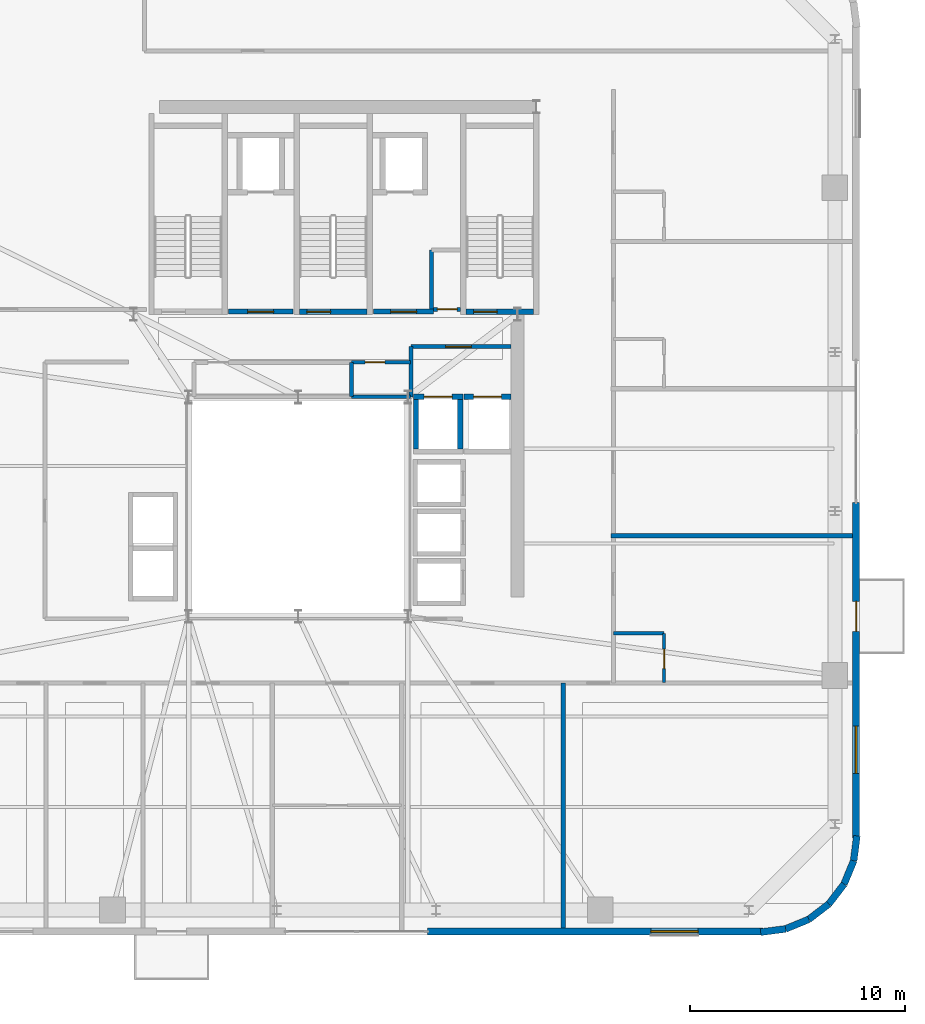
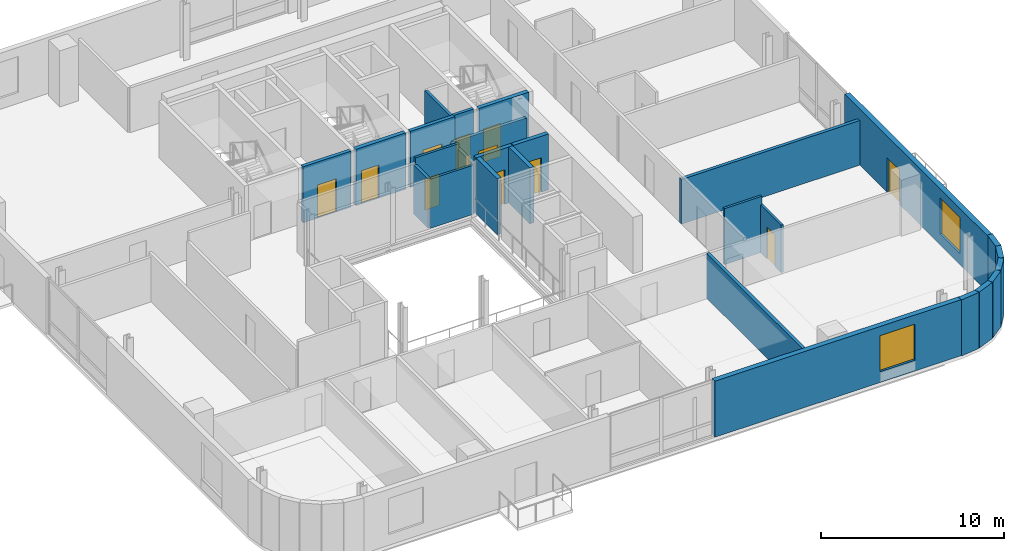
# One storey, part 9 of 15: 27 walls, 11 doors, 2 windows, 13 openings.
"""IFC4 building model written with IfcOpenShell, lengths in metres."""

from ifc_helpers import new_model, si_unit, direction, frame, frame_2d, origin, place, context, subcontext, project, spatial, rectangle, extrude, source, transform, mapped, material, layer, layer_set, type_object, element, fill, save


model = new_model("IFC4")

# Units and contexts
model_context = context("Model", 3, precision=1e-05, world=origin(), true_north=direction((0.0, 1.0)))
body_context = subcontext(model_context, "Body", "Model", "MODEL_VIEW")
ifc_project = project(units=[si_unit("LENGTHUNIT", "METRE"), si_unit("AREAUNIT", "SQUARE_METRE"), si_unit("VOLUMEUNIT", "CUBIC_METRE"), si_unit("PLANEANGLEUNIT", "RADIAN"), si_unit("MASSUNIT", "GRAM", prefix="KILO")], contexts=[model_context])

# Site, building, storey
site_placement = place(None, origin())
site = spatial("IfcSite", under=ifc_project, at=site_placement, CompositionType="ELEMENT")
building_placement = place(site_placement, origin())
building = spatial("IfcBuilding", under=site, at=building_placement, Name="Vardaveli Station Tower", CompositionType="ELEMENT")
storey_placement = place(building_placement, frame((0.0, 0.0, 246.64990234375)))
storey = spatial("IfcBuildingStorey", under=building, at=storey_placement, Name="L63", CompositionType="ELEMENT", Elevation=246.64990234375)

# Wall, opening, window
ifc_material_1 = material(Name="Precast concrete C45/55", Category="concrete")
ifc_layer_1 = layer(ifc_material_1, 0.320068359375, Name="Precast concrete C45/55")
ifc_layer_set_1 = layer_set([ifc_layer_1], Name="Precast concrete C45/55")
wall_type_1 = type_object("IfcWallType", Name="WAL-EXT-STONE-320", PredefinedType="SOLIDWALL", material=ifc_layer_set_1)
shared_shape_1 = source(origin(), body_context, "Body", "SweptSolid", [
    extrude(rectangle(XDim=15.599853515625, YDim=0.320068359375, at=frame_2d((7.7998046875, 0.0))), origin(), (0.0, 0.0, 1.0), 3.72998046875),
])
wall_1_placement = place(storey_placement, frame((42.300048828125, 1.9599609375, 0.0), z_axis=(0.0, 0.0, 1.0), x_axis=(1.0, 0.0, 0.0)))
wall_1 = element("IfcWall", 1, at=wall_1_placement, inside=storey, type_object=wall_type_1, Name="EW-L63-S2", PredefinedType="SOLIDWALL", context=body_context, shape_type="MappedRepresentation", body=[
    mapped(shared_shape_1, transform((0.0, 0.0, 0.0), scale=1.0)),
])
shared_shape_2 = source(origin(), body_context, "Body", "SweptSolid", [
    extrude(rectangle(XDim=2.199951171875, YDim=2.39990234375, at=frame_2d((1.10009765625, 1.199951171875))), frame((0.0, 0.169921875, 0.0), z_axis=(0.0, -1.0, 0.0), x_axis=(1.0, 0.0, 0.0)), (0.0, 0.0, 1.0), 0.340087890625),
])
opening_1_placement = place(wall_1_placement, frame((10.39501953125, 0.0, 0.719970703125)))
opening_1 = element("IfcOpeningElement", 2, at=opening_1_placement, cuts=wall_1, Name="Opening W-03", PredefinedType="OPENING", context=body_context, shape_type="MappedRepresentation", body=[
    mapped(shared_shape_2, transform((0.0, 0.0, 0.0), scale=1.0)),
])
ifc_material_2 = material(Name="Low-E solar-control glass", Category="glass")
window_type = type_object("IfcWindowType", Name="WIN-LOG-2200x2400", PartitioningType="SINGLE_PANEL", PredefinedType="WINDOW", material=ifc_material_2)
shared_shape_3 = source(origin(), body_context, "Body", "SweptSolid", [
    extrude(rectangle(XDim=2.199951171875, YDim=2.39990234375, at=frame_2d((1.10009765625, 1.199951171875))), frame((0.0, 0.030029296875, 0.0), z_axis=(0.0, -1.0, 0.0), x_axis=(1.0, 0.0, 0.0)), (0.0, 0.0, 1.0), 0.06005859375),
])
window_1_placement = place(opening_1_placement, origin())
window_1 = element("IfcWindow", 3, at=window_1_placement, inside=storey, type_object=window_type, Name="WN-L63-S2", OverallHeight=2.39990234375, OverallWidth=2.199951171875, PartitioningType="SINGLE_PANEL", PredefinedType="WINDOW", context=body_context, shape_type="MappedRepresentation", body=[
    mapped(shared_shape_3, transform((0.0, 0.0, 0.0), scale=1.0)),
])
fill(opening_1, window_1)

# Wall, openings, door, window
wall_2_placement = place(storey_placement, frame((62.239990234375, 6.300048828125, 0.0), z_axis=(0.0, 0.0, 1.0), x_axis=(0.0, 1.0, 0.0)))
wall_2 = element("IfcWall", 4, at=wall_2_placement, inside=storey, type_object=wall_type_1, Name="EW-L63-E1", PredefinedType="SOLIDWALL", context=body_context, shape_type="MappedRepresentation", body=[
    mapped(shared_shape_1, transform((0.0, 0.0, 0.0), scale=1.0)),
])
shared_shape_4 = source(origin(), body_context, "Body", "SweptSolid", [
    extrude(rectangle(XDim=1.39990234375, YDim=2.300048828125, at=frame_2d((0.699951171875, 1.14990234375))), frame((0.0, 0.169921875, 0.0), z_axis=(0.0, -1.0, 0.0), x_axis=(1.0, 0.0, 0.0)), (0.0, 0.0, 1.0), 0.340087890625),
])
opening_2_placement = place(wall_2_placement, frame((9.6103515625, 0.0, 0.0)))
opening_2 = element("IfcOpeningElement", 5, at=opening_2_placement, cuts=wall_2, Name="Opening D-09", PredefinedType="OPENING", context=body_context, shape_type="MappedRepresentation", body=[
    mapped(shared_shape_4, transform((0.0, 0.0, 0.0), scale=1.0)),
])
opening_3_placement = place(wall_2_placement, frame((3.0048828125, 0.0, 0.719970703125)))
opening_3 = element("IfcOpeningElement", 6, at=opening_3_placement, cuts=wall_2, Name="Opening W-03", PredefinedType="OPENING", context=body_context, shape_type="MappedRepresentation", body=[
    mapped(shared_shape_2, transform((0.0, 0.0, 0.0), scale=1.0)),
])
ifc_material_3 = material(Name="Thermally broken aluminium glass", Category="aluminium")
door_type_1 = type_object("IfcDoorType", Name="DR-LOG-1400x2300", OperationType="DOUBLE_DOOR_SLIDING", PredefinedType="DOOR", material=ifc_material_3)
shared_shape_5 = source(origin(), body_context, "Body", "SweptSolid", [
    extrude(rectangle(XDim=1.39990234375, YDim=2.300048828125, at=frame_2d((0.699951171875, 1.14990234375))), frame((0.0, 0.02490234375, 0.0), z_axis=(0.0, -1.0, 0.0), x_axis=(1.0, 0.0, 0.0)), (0.0, 0.0, 1.0), 0.050048828125),
])
door_1_placement = place(opening_2_placement, frame((1.39990234375, 0.0, 0.0), z_axis=(0.0, 0.0, 1.0), x_axis=(-1.0, 0.0, 0.0)))
door_1 = element("IfcDoor", 7, at=door_1_placement, inside=storey, type_object=door_type_1, Name="DLG-L63-E", OperationType="DOUBLE_DOOR_SLIDING", OverallHeight=2.300048828125, OverallWidth=1.39990234375, PredefinedType="DOOR", context=body_context, shape_type="MappedRepresentation", body=[
    mapped(shared_shape_5, transform((0.0, 0.0, 0.0), scale=1.0)),
])
fill(opening_2, door_1)
window_2_placement = place(opening_3_placement, origin())
window_2 = element("IfcWindow", 8, at=window_2_placement, inside=storey, type_object=window_type, Name="WN-L63-E1", OverallHeight=2.39990234375, OverallWidth=2.199951171875, PartitioningType="SINGLE_PANEL", PredefinedType="WINDOW", context=body_context, shape_type="MappedRepresentation", body=[
    mapped(shared_shape_3, transform((0.0, 0.0, 0.0), scale=1.0)),
])
fill(opening_3, window_2)

# Walls
shared_shape_6 = source(origin(), body_context, "Body", "SweptSolid", [
    extrude(rectangle(XDim=1.170654296875, YDim=0.320068359375, at=frame_2d((0.58544921875, 0.0))), origin(), (0.0, 0.0, 1.0), 3.72998046875),
])
wall_3_placement = place(storey_placement, frame((62.12548828125, 5.23974609375, 0.0), z_axis=(0.0, 0.0, 1.0), x_axis=(0.128269133229, 0.991739395941, 0.0)))
element("IfcWall", 9, at=wall_3_placement, inside=storey, type_object=wall_type_1, Name="EW-L63-CR2-6", PredefinedType="SOLIDWALL", context=body_context, shape_type="MappedRepresentation", body=[
    mapped(shared_shape_6, transform((0.0, 0.0, 0.0), scale=1.0)),
])
shared_shape_7 = source(origin(), body_context, "Body", "SweptSolid", [
    extrude(rectangle(XDim=1.1689453125, YDim=0.320068359375, at=frame_2d((0.58447265625, 0.0))), origin(), (0.0, 0.0, 1.0), 3.72998046875),
])
for number, where, z_axis, x_axis, name in (
    (10, (60.96875, 3.231201171875, 0.0), (0.0, 0.0, 1.0), (0.608387696831, 0.793639975269, 0.0), "EW-L63-CR2-4"),
    (11, (61.679931640625, 4.158935546875, 0.0), (0.0, 0.0, 1.0), (0.381127904695, 0.924522320046, 0.0), "EW-L63-CR2-5"),
):
    element("IfcWall", number, at=place(storey_placement, frame(where, z_axis=z_axis, x_axis=x_axis)), inside=storey, type_object=wall_type_1, Name=name, PredefinedType="SOLIDWALL", context=body_context, shape_type="MappedRepresentation", body=[
        mapped(shared_shape_7, transform((0.0, 0.0, 0.0), scale=1.0)),
    ])
shared_shape_8 = source(origin(), body_context, "Body", "SweptSolid", [
    extrude(rectangle(XDim=1.168701171875, YDim=0.320068359375, at=frame_2d((0.58447265625, 0.0))), origin(), (0.0, 0.0, 1.0), 3.72998046875),
])
wall_4_placement = place(storey_placement, frame((60.041259765625, 2.520263671875, 0.0), z_axis=(0.0, 0.0, 1.0), x_axis=(0.793663520347, 0.608356981114, 0.0)))
element("IfcWall", 12, at=wall_4_placement, inside=storey, type_object=wall_type_1, Name="EW-L63-CR2-3", PredefinedType="SOLIDWALL", context=body_context, shape_type="MappedRepresentation", body=[
    mapped(shared_shape_8, transform((0.0, 0.0, 0.0), scale=1.0)),
])
shared_shape_9 = source(origin(), body_context, "Body", "SweptSolid", [
    extrude(rectangle(XDim=1.16943359375, YDim=0.320068359375, at=frame_2d((0.584716796875, 0.0))), origin(), (0.0, 0.0, 1.0), 3.72998046875),
])
wall_5_placement = place(storey_placement, frame((58.960205078125, 2.074462890625, 0.0), z_axis=(0.0, 0.0, 1.0), x_axis=(0.924479075121, 0.381232789334, 0.0)))
element("IfcWall", 13, at=wall_5_placement, inside=storey, type_object=wall_type_1, Name="EW-L63-CR2-2", PredefinedType="SOLIDWALL", context=body_context, shape_type="MappedRepresentation", body=[
    mapped(shared_shape_9, transform((0.0, 0.0, 0.0), scale=1.0)),
])
shared_shape_10 = source(origin(), body_context, "Body", "SweptSolid", [
    extrude(rectangle(XDim=1.170166015625, YDim=0.320068359375, at=frame_2d((0.5849609375, 0.0))), origin(), (0.0, 0.0, 1.0), 3.72998046875),
])
wall_6_placement = place(storey_placement, frame((57.799560546875, 1.924560546875, 0.0), z_axis=(0.0, 0.0, 1.0), x_axis=(0.991762485493, 0.128090485085, 0.0)))
element("IfcWall", 14, at=wall_6_placement, inside=storey, type_object=wall_type_1, Name="EW-L63-CR2-1", PredefinedType="SOLIDWALL", context=body_context, shape_type="MappedRepresentation", body=[
    mapped(shared_shape_10, transform((0.0, 0.0, 0.0), scale=1.0)),
])

# Wall, opening, door
ifc_material_4 = material(Name="Concrete C40/50", Category="concrete")
ifc_layer_2 = layer(ifc_material_4, 0.25, Name="Concrete C40/50")
ifc_layer_set_2 = layer_set([ifc_layer_2], Name="Concrete C40/50")
wall_type_2 = type_object("IfcWallType", Name="WAL-SHAFT-250", PredefinedType="SOLIDWALL", material=ifc_layer_set_2)
shared_shape_11 = source(origin(), body_context, "Body", "SweptSolid", [
    extrude(rectangle(XDim=3.14990234375, YDim=0.25, at=frame_2d((1.574951171875, 0.0))), origin(), (0.0, 0.0, 1.0), 3.75),
])
wall_7_placement = place(storey_placement, frame((36.35009765625, 30.77490234375, 0.0), z_axis=(0.0, 0.0, 1.0), x_axis=(1.0, 0.0, 0.0)))
wall_7 = element("IfcWall", 15, at=wall_7_placement, inside=storey, type_object=wall_type_2, Name="W-L63-ST-2S", PredefinedType="SOLIDWALL", context=body_context, shape_type="MappedRepresentation", body=[
    mapped(shared_shape_11, transform((0.0, 0.0, 0.0), scale=1.0)),
])
shared_shape_12 = source(origin(), body_context, "Body", "SweptSolid", [
    extrude(rectangle(XDim=1.10009765625, YDim=2.199951171875, at=frame_2d((0.550048828125, 1.10009765625))), frame((0.0, 0.135009765625, 0.0), z_axis=(0.0, -1.0, 0.0), x_axis=(1.0, 0.0, 0.0)), (0.0, 0.0, 1.0), 0.27001953125),
])
opening_4_placement = place(wall_7_placement, frame((0.35009765625, 0.0, 0.0)))
opening_4 = element("IfcOpeningElement", 16, at=opening_4_placement, cuts=wall_7, Name="Opening D-04", PredefinedType="OPENING", context=body_context, shape_type="MappedRepresentation", body=[
    mapped(shared_shape_12, transform((0.0, 0.0, 0.0), scale=1.0)),
])
ifc_material_5 = material(Name="Steel smokeproof fire doorset", Category="steel")
door_type_2 = type_object("IfcDoorType", Name="DR-ST-1100x2200", OperationType="NOTDEFINED", PredefinedType="DOOR", material=ifc_material_5)
shared_shape_13 = source(origin(), body_context, "Body", "SweptSolid", [
    extrude(rectangle(XDim=1.10009765625, YDim=2.199951171875, at=frame_2d((0.550048828125, 1.10009765625))), frame((0.0, 0.02490234375, 0.0), z_axis=(0.0, -1.0, 0.0), x_axis=(1.0, 0.0, 0.0)), (0.0, 0.0, 1.0), 0.050048828125),
])
door_2_placement = place(opening_4_placement, origin())
door_2 = element("IfcDoor", 17, at=door_2_placement, inside=storey, type_object=door_type_2, Name="DST-2-L63", OperationType="SINGLE_SWING_LEFT", OverallHeight=2.199951171875, OverallWidth=1.10009765625, PredefinedType="DOOR", context=body_context, shape_type="MappedRepresentation", body=[
    mapped(shared_shape_13, transform((0.0, 0.0, 0.0), scale=1.0)),
])
fill(opening_4, door_2)

wall_8_placement = place(storey_placement, frame((44.10009765625, 30.77490234375, 0.0), z_axis=(0.0, 0.0, 1.0), x_axis=(1.0, 0.0, 0.0)))
wall_8 = element("IfcWall", 18, at=wall_8_placement, inside=storey, type_object=wall_type_2, Name="W-L63-ST-3S", PredefinedType="SOLIDWALL", context=body_context, shape_type="MappedRepresentation", body=[
    mapped(shared_shape_11, transform((0.0, 0.0, 0.0), scale=1.0)),
])
opening_5_placement = place(wall_8_placement, frame((0.35009765625, 0.0, 0.0)))
opening_5 = element("IfcOpeningElement", 19, at=opening_5_placement, cuts=wall_8, Name="Opening D-04", PredefinedType="OPENING", context=body_context, shape_type="MappedRepresentation", body=[
    mapped(shared_shape_12, transform((0.0, 0.0, 0.0), scale=1.0)),
])
door_3_placement = place(opening_5_placement, origin())
door_3 = element("IfcDoor", 20, at=door_3_placement, inside=storey, type_object=door_type_2, Name="DST-3-L63", OperationType="SINGLE_SWING_LEFT", OverallHeight=2.199951171875, OverallWidth=1.10009765625, PredefinedType="DOOR", context=body_context, shape_type="MappedRepresentation", body=[
    mapped(shared_shape_13, transform((0.0, 0.0, 0.0), scale=1.0)),
])
fill(opening_5, door_3)

ifc_layer_3 = layer(ifc_material_4, 0.219970703125, Name="Concrete C40/50")
ifc_layer_set_3 = layer_set([ifc_layer_3], Name="Concrete C40/50")
wall_type_3 = type_object("IfcWallType", Name="WAL-FFLOBBY-220", PredefinedType="SOLIDWALL", material=ifc_layer_set_3)
shared_shape_14 = source(origin(), body_context, "Body", "SweptSolid", [
    extrude(rectangle(XDim=3.0, YDim=0.219970703125, at=frame_2d((1.5, 0.0))), origin(), (0.0, 0.0, 1.0), 3.72998046875),
])
wall_9_placement = place(storey_placement, frame((33.050048828125, 30.780029296875, 0.0), z_axis=(0.0, 0.0, 1.0), x_axis=(1.0, 0.0, 0.0)))
wall_9 = element("IfcWall", 21, at=wall_9_placement, inside=storey, type_object=wall_type_3, Name="W-L63-FFL1S", PredefinedType="SOLIDWALL", context=body_context, shape_type="MappedRepresentation", body=[
    mapped(shared_shape_14, transform((0.0, 0.0, 0.0), scale=1.0)),
])
shared_shape_15 = source(origin(), body_context, "Body", "SweptSolid", [
    extrude(rectangle(XDim=1.199951171875, YDim=2.199951171875, at=frame_2d((0.60009765625, 1.10009765625))), frame((0.0, 0.1201171875, 0.0), z_axis=(0.0, -1.0, 0.0), x_axis=(1.0, 0.0, 0.0)), (0.0, 0.0, 1.0), 0.239990234375),
])
opening_6_placement = place(wall_9_placement, frame((0.89990234375, 0.0, 0.0)))
opening_6 = element("IfcOpeningElement", 22, at=opening_6_placement, cuts=wall_9, Name="Opening D-03", PredefinedType="OPENING", context=body_context, shape_type="MappedRepresentation", body=[
    mapped(shared_shape_15, transform((0.0, 0.0, 0.0), scale=1.0)),
])
door_type_3 = type_object("IfcDoorType", Name="DR-FFL-1200x2200", OperationType="NOTDEFINED", PredefinedType="DOOR", material=ifc_material_5)
shared_shape_16 = source(origin(), body_context, "Body", "SweptSolid", [
    extrude(rectangle(XDim=1.199951171875, YDim=2.199951171875, at=frame_2d((0.60009765625, 1.10009765625))), frame((0.0, 0.02490234375, 0.0), z_axis=(0.0, -1.0, 0.0), x_axis=(1.0, 0.0, 0.0)), (0.0, 0.0, 1.0), 0.050048828125),
])
door_4_placement = place(opening_6_placement, origin())
door_4 = element("IfcDoor", 23, at=door_4_placement, inside=storey, type_object=door_type_3, Name="DFFL1-L63", OperationType="SINGLE_SWING_LEFT", OverallHeight=2.199951171875, OverallWidth=1.199951171875, PredefinedType="DOOR", context=body_context, shape_type="MappedRepresentation", body=[
    mapped(shared_shape_16, transform((0.0, 0.0, 0.0), scale=1.0)),
])
fill(opening_6, door_4)

shared_shape_17 = source(origin(), body_context, "Body", "SweptSolid", [
    extrude(rectangle(XDim=2.800048828125, YDim=0.219970703125, at=frame_2d((1.39990234375, 0.0))), origin(), (0.0, 0.0, 1.0), 3.72998046875),
])
wall_10_placement = place(storey_placement, frame((39.800048828125, 30.780029296875, 0.0), z_axis=(0.0, 0.0, 1.0), x_axis=(1.0, 0.0, 0.0)))
wall_10 = element("IfcWall", 24, at=wall_10_placement, inside=storey, type_object=wall_type_3, Name="W-L63-FFL2S", PredefinedType="SOLIDWALL", context=body_context, shape_type="MappedRepresentation", body=[
    mapped(shared_shape_17, transform((0.0, 0.0, 0.0), scale=1.0)),
])
opening_7_placement = place(wall_10_placement, frame((0.800048828125, 0.0, 0.0)))
opening_7 = element("IfcOpeningElement", 25, at=opening_7_placement, cuts=wall_10, Name="Opening D-03", PredefinedType="OPENING", context=body_context, shape_type="MappedRepresentation", body=[
    mapped(shared_shape_15, transform((0.0, 0.0, 0.0), scale=1.0)),
])
door_5_placement = place(opening_7_placement, origin())
door_5 = element("IfcDoor", 26, at=door_5_placement, inside=storey, type_object=door_type_3, Name="DFFL2-L63", OperationType="SINGLE_SWING_RIGHT", OverallHeight=2.199951171875, OverallWidth=1.199951171875, PredefinedType="DOOR", context=body_context, shape_type="MappedRepresentation", body=[
    mapped(shared_shape_16, transform((0.0, 0.0, 0.0), scale=1.0)),
])
fill(opening_7, door_5)

shared_shape_18 = source(origin(), body_context, "Body", "SweptSolid", [
    extrude(rectangle(XDim=2.300048828125, YDim=0.25, at=frame_2d((1.14990234375, 0.0))), origin(), (0.0, 0.0, 1.0), 3.72998046875),
])
wall_11_placement = place(storey_placement, frame((41.64990234375, 26.824951171875, 0.0), z_axis=(0.0, 0.0, 1.0), x_axis=(1.0, 0.0, 0.0)))
wall_11 = element("IfcWall", 27, at=wall_11_placement, inside=storey, type_object=wall_type_2, Name="SHW-SRV-01-L63-N", PredefinedType="SOLIDWALL", context=body_context, shape_type="MappedRepresentation", body=[
    mapped(shared_shape_18, transform((0.0, 0.0, 0.0), scale=1.0)),
])
shared_shape_19 = source(origin(), body_context, "Body", "SweptSolid", [
    extrude(rectangle(XDim=1.300048828125, YDim=2.300048828125, at=frame_2d((0.64990234375, 1.14990234375))), frame((0.0, 0.135009765625, 0.0), z_axis=(0.0, -1.0, 0.0), x_axis=(1.0, 0.0, 0.0)), (0.0, 0.0, 1.0), 0.27001953125),
])
opening_8_placement = place(wall_11_placement, frame((0.5, 0.0, 0.0)))
opening_8 = element("IfcOpeningElement", 28, at=opening_8_placement, cuts=wall_11, Name="Opening LD-03", PredefinedType="OPENING", context=body_context, shape_type="MappedRepresentation", body=[
    mapped(shared_shape_19, transform((0.0, 0.0, 0.0), scale=1.0)),
])
ifc_material_6 = material(Name="Brushed stainless steel", Category="steel")
door_type_4 = type_object("IfcDoorType", Name="DR-LD-1300x2300", OperationType="DOUBLE_DOOR_SLIDING", PredefinedType="DOOR", material=ifc_material_6)
shared_shape_20 = source(origin(), body_context, "Body", "SweptSolid", [
    extrude(rectangle(XDim=1.300048828125, YDim=2.300048828125, at=frame_2d((0.64990234375, 1.14990234375))), frame((0.0, 0.02490234375, 0.0), z_axis=(0.0, -1.0, 0.0), x_axis=(1.0, 0.0, 0.0)), (0.0, 0.0, 1.0), 0.050048828125),
])
door_6_placement = place(opening_8_placement, origin())
door_6 = element("IfcDoor", 29, at=door_6_placement, inside=storey, type_object=door_type_4, Name="LD-SRV-01-L63", OperationType="DOUBLE_DOOR_SLIDING", OverallHeight=2.300048828125, OverallWidth=1.300048828125, PredefinedType="DOOR", context=body_context, shape_type="MappedRepresentation", body=[
    mapped(shared_shape_20, transform((0.0, 0.0, 0.0), scale=1.0)),
])
fill(opening_8, door_6)

# Walls
for number, where, z_axis, x_axis, name in (
    (30, (41.77490234375, 24.39990234375, 0.0), (0.0, 0.0, 1.0), (0.0, 1.0, 0.0), "SHW-SRV-01-L63-W"),
    (31, (43.824951171875, 24.39990234375, 0.0), (0.0, 0.0, 1.0), (0.0, 1.0, 0.0), "SHW-SRV-01-L63-E"),
):
    element("IfcWall", number, at=place(storey_placement, frame(where, z_axis=z_axis, x_axis=x_axis)), inside=storey, type_object=wall_type_2, Name=name, PredefinedType="SOLIDWALL", context=body_context, shape_type="MappedRepresentation", body=[
        mapped(shared_shape_18, transform((0.0, 0.0, 0.0), scale=1.0)),
    ])

# Wall, opening, door
shared_shape_21 = source(origin(), body_context, "Body", "SweptSolid", [
    extrude(rectangle(XDim=2.199951171875, YDim=0.25, at=frame_2d((1.10009765625, 0.0))), origin(), (0.0, 0.0, 1.0), 3.72998046875),
])
wall_12_placement = place(storey_placement, frame((44.0, 26.824951171875, 0.0), z_axis=(0.0, 0.0, 1.0), x_axis=(1.0, 0.0, 0.0)))
wall_12 = element("IfcWall", 32, at=wall_12_placement, inside=storey, type_object=wall_type_2, Name="SHW-SRV-02-L63-N", PredefinedType="SOLIDWALL", context=body_context, shape_type="MappedRepresentation", body=[
    mapped(shared_shape_21, transform((0.0, 0.0, 0.0), scale=1.0)),
])
opening_9_placement = place(wall_12_placement, frame((0.449951171875, 0.0, 0.0)))
opening_9 = element("IfcOpeningElement", 33, at=opening_9_placement, cuts=wall_12, Name="Opening LD-03", PredefinedType="OPENING", context=body_context, shape_type="MappedRepresentation", body=[
    mapped(shared_shape_19, transform((0.0, 0.0, 0.0), scale=1.0)),
])
door_7_placement = place(opening_9_placement, origin())
door_7 = element("IfcDoor", 34, at=door_7_placement, inside=storey, type_object=door_type_4, Name="LD-SRV-02-L63", OperationType="DOUBLE_DOOR_SLIDING", OverallHeight=2.300048828125, OverallWidth=1.300048828125, PredefinedType="DOOR", context=body_context, shape_type="MappedRepresentation", body=[
    mapped(shared_shape_20, transform((0.0, 0.0, 0.0), scale=1.0)),
])
fill(opening_9, door_7)

ifc_material_7 = material(Name="Fire-rated gypsum stud partition")
ifc_layer_4 = layer(ifc_material_7, 0.179931640625, Name="Fire-rated gypsum stud partition")
ifc_layer_set_4 = layer_set([ifc_layer_4], Name="Fire-rated gypsum stud partition")
wall_type_4 = type_object("IfcWallType", Name="WAL-CORR-180", PredefinedType="PARTITIONING", material=ifc_layer_set_4)
shared_shape_22 = source(origin(), body_context, "Body", "SweptSolid", [
    extrude(rectangle(XDim=4.64794921875, YDim=0.179931640625, at=frame_2d((2.323974609375, 0.0))), origin(), (0.0, 0.0, 1.0), 3.362060546875),
])
wall_13_placement = place(storey_placement, frame((41.550048828125, 29.14990234375, 0.0), z_axis=(0.0, 0.0, 1.0), x_axis=(1.0, 0.0, 0.0)))
wall_13 = element("IfcWall", 35, at=wall_13_placement, inside=storey, type_object=wall_type_4, Name="W-L63-SVFN", PredefinedType="PARTITIONING", context=body_context, shape_type="MappedRepresentation", body=[
    mapped(shared_shape_22, transform((0.0, 0.0, 0.0), scale=1.0)),
])
shared_shape_23 = source(origin(), body_context, "Body", "SweptSolid", [
    extrude(rectangle(XDim=1.199951171875, YDim=2.199951171875, at=frame_2d((0.60009765625, 1.10009765625))), frame((0.0, 0.10009765625, 0.0), z_axis=(0.0, -1.0, 0.0), x_axis=(1.0, 0.0, 0.0)), (0.0, 0.0, 1.0), 0.199951171875),
])
opening_10_placement = place(wall_13_placement, frame((1.60009765625, 0.0, 0.0)))
opening_10 = element("IfcOpeningElement", 36, at=opening_10_placement, cuts=wall_13, Name="Opening D-03", PredefinedType="OPENING", context=body_context, shape_type="MappedRepresentation", body=[
    mapped(shared_shape_23, transform((0.0, 0.0, 0.0), scale=1.0)),
])
door_8_placement = place(opening_10_placement, origin())
door_8 = element("IfcDoor", 37, at=door_8_placement, inside=storey, type_object=door_type_3, Name="D-L63-SVF", OperationType="SINGLE_SWING_LEFT", OverallHeight=2.199951171875, OverallWidth=1.199951171875, PredefinedType="DOOR", context=body_context, shape_type="MappedRepresentation", body=[
    mapped(shared_shape_16, transform((0.0, 0.0, 0.0), scale=1.0)),
])
fill(opening_10, door_8)

ifc_material_8 = material(Name="Moisture-resistant stud partition")
ifc_layer_5 = layer(ifc_material_8, 0.14990234375, Name="Moisture-resistant stud partition")
ifc_layer_set_5 = layer_set([ifc_layer_5], Name="Moisture-resistant stud partition")
wall_type_5 = type_object("IfcWallType", Name="WAL-WET-150", PredefinedType="PARTITIONING", material=ifc_layer_set_5)
shared_shape_24 = source(origin(), body_context, "Body", "SweptSolid", [
    extrude(rectangle(XDim=2.2900390625, YDim=0.14990234375, at=frame_2d((1.14501953125, 0.0))), origin(), (0.0, 0.0, 1.0), 3.172119140625),
])
wall_14_placement = place(storey_placement, frame((53.31005859375, 13.530029296875, 0.0), z_axis=(0.0, 0.0, 1.0), x_axis=(0.0, 1.0, 0.0)))
wall_14 = element("IfcWall", 38, at=wall_14_placement, inside=storey, type_object=wall_type_5, Name="W-L63-BE1-E", PredefinedType="PARTITIONING", context=body_context, shape_type="MappedRepresentation", body=[
    mapped(shared_shape_24, transform((0.0, 0.0, 0.0), scale=1.0)),
])
shared_shape_25 = source(origin(), body_context, "Body", "SweptSolid", [
    extrude(rectangle(XDim=0.89990234375, YDim=2.10009765625, at=frame_2d((0.449951171875, 1.050048828125))), frame((0.0, 0.0849609375, 0.0), z_axis=(0.0, -1.0, 0.0), x_axis=(1.0, 0.0, 0.0)), (0.0, 0.0, 1.0), 0.169921875),
])
opening_11_placement = place(wall_14_placement, frame((0.64990234375, 0.0, 0.0)))
opening_11 = element("IfcOpeningElement", 39, at=opening_11_placement, cuts=wall_14, Name="Opening D-08", PredefinedType="OPENING", context=body_context, shape_type="MappedRepresentation", body=[
    mapped(shared_shape_25, transform((0.0, 0.0, 0.0), scale=1.0)),
])
ifc_material_9 = material(Name="Moisture-resistant oak door")
door_type_5 = type_object("IfcDoorType", Name="DR-BATH-900x2100", OperationType="NOTDEFINED", PredefinedType="DOOR", material=ifc_material_9)
shared_shape_26 = source(origin(), body_context, "Body", "SweptSolid", [
    extrude(rectangle(XDim=0.89990234375, YDim=2.10009765625, at=frame_2d((0.449951171875, 1.050048828125))), frame((0.0, 0.02490234375, 0.0), z_axis=(0.0, -1.0, 0.0), x_axis=(1.0, 0.0, 0.0)), (0.0, 0.0, 1.0), 0.050048828125),
])
door_9_placement = place(opening_11_placement, origin())
door_9 = element("IfcDoor", 40, at=door_9_placement, inside=storey, type_object=door_type_5, Name="D-L63-BE1", OperationType="SINGLE_SWING_RIGHT", OverallHeight=2.10009765625, OverallWidth=0.89990234375, PredefinedType="DOOR", context=body_context, shape_type="MappedRepresentation", body=[
    mapped(shared_shape_26, transform((0.0, 0.0, 0.0), scale=1.0)),
])
fill(opening_11, door_9)

shared_shape_27 = source(origin(), body_context, "Body", "SweptSolid", [
    extrude(rectangle(XDim=1.247802734375, YDim=0.179931640625, at=frame_2d((0.6240234375, 0.0))), origin(), (0.0, 0.0, 1.0), 3.72998046875),
])
wall_15_placement = place(storey_placement, frame((42.60009765625, 30.8798828125, 0.0), z_axis=(0.0, 0.0, 1.0), x_axis=(1.0, 0.0, 0.0)))
wall_15 = element("IfcWall", 41, at=wall_15_placement, inside=storey, type_object=wall_type_4, Name="W-L63-CBS0-S", PredefinedType="PARTITIONING", context=body_context, shape_type="MappedRepresentation", body=[
    mapped(shared_shape_27, transform((0.0, 0.0, 0.0), scale=1.0)),
])
shared_shape_28 = source(origin(), body_context, "Body", "SweptSolid", [
    extrude(rectangle(XDim=0.919921875, YDim=2.10009765625, at=frame_2d((0.4599609375, 1.050048828125))), frame((0.0, 0.10009765625, 0.0), z_axis=(0.0, -1.0, 0.0), x_axis=(1.0, 0.0, 0.0)), (0.0, 0.0, 1.0), 0.199951171875),
])
opening_12_placement = place(wall_15_placement, frame((0.1640625, 0.0, 0.0)))
opening_12 = element("IfcOpeningElement", 42, at=opening_12_placement, cuts=wall_15, Name="Opening D-07", PredefinedType="OPENING", context=body_context, shape_type="MappedRepresentation", body=[
    mapped(shared_shape_28, transform((0.0, 0.0, 0.0), scale=1.0)),
])
ifc_material_10 = material(Name="Moisture-resistant hardwood door", Category="wood")
door_type_6 = type_object("IfcDoorType", Name="DR-WC-920x2100", OperationType="NOTDEFINED", PredefinedType="DOOR", material=ifc_material_10)
shared_shape_29 = source(origin(), body_context, "Body", "SweptSolid", [
    extrude(rectangle(XDim=0.919921875, YDim=2.10009765625, at=frame_2d((0.4599609375, 1.050048828125))), frame((0.0, 0.02490234375, 0.0), z_axis=(0.0, -1.0, 0.0), x_axis=(1.0, 0.0, 0.0)), (0.0, 0.0, 1.0), 0.050048828125),
])
door_10_placement = place(opening_12_placement, origin())
door_10 = element("IfcDoor", 43, at=door_10_placement, inside=storey, type_object=door_type_6, Name="D-L63-CBS0", OperationType="SINGLE_SWING_LEFT", OverallHeight=2.10009765625, OverallWidth=0.919921875, PredefinedType="DOOR", context=body_context, shape_type="MappedRepresentation", body=[
    mapped(shared_shape_29, transform((0.0, 0.0, 0.0), scale=1.0)),
])
fill(opening_12, door_10)

# Walls
shared_shape_30 = source(origin(), body_context, "Body", "SweptSolid", [
    extrude(rectangle(XDim=2.360107421875, YDim=0.14990234375, at=frame_2d((1.18017578125, 0.0))), origin(), (0.0, 0.0, 1.0), 3.72998046875),
])
wall_16_placement = place(storey_placement, frame((50.949951171875, 15.820068359375, 0.0), z_axis=(0.0, 0.0, 1.0), x_axis=(1.0, 0.0, 0.0)))
element("IfcWall", 44, at=wall_16_placement, inside=storey, type_object=wall_type_5, Name="W-L63-BE1-N", PredefinedType="PARTITIONING", context=body_context, shape_type="MappedRepresentation", body=[
    mapped(shared_shape_30, transform((0.0, 0.0, 0.0), scale=1.0)),
])
shared_shape_31 = source(origin(), body_context, "Body", "SweptSolid", [
    extrude(rectangle(XDim=2.349853515625, YDim=0.179931640625, at=frame_2d((1.1748046875, 0.0))), origin(), (0.0, 0.0, 1.0), 3.362060546875),
])
wall_17_placement = place(storey_placement, frame((41.550048828125, 26.800048828125, 0.0), z_axis=(0.0, 0.0, 1.0), x_axis=(0.0, 1.0, 0.0)))
element("IfcWall", 45, at=wall_17_placement, inside=storey, type_object=wall_type_4, Name="W-L63-SVFW", PredefinedType="PARTITIONING", context=body_context, shape_type="MappedRepresentation", body=[
    mapped(shared_shape_31, transform((0.0, 0.0, 0.0), scale=1.0)),
])

# Wall, opening, door
shared_shape_32 = source(origin(), body_context, "Body", "SweptSolid", [
    extrude(rectangle(XDim=2.739990234375, YDim=0.14990234375, at=frame_2d((1.3701171875, 0.0))), origin(), (0.0, 0.0, 1.0), 3.72998046875),
])
wall_18_placement = place(storey_placement, frame((38.780029296875, 28.419921875, 0.0), z_axis=(0.0, 0.0, 1.0), x_axis=(1.0, 0.0, 0.0)))
wall_18 = element("IfcWall", 46, at=wall_18_placement, inside=storey, type_object=wall_type_5, Name="W-L63-WCA0-N", PredefinedType="PARTITIONING", context=body_context, shape_type="MappedRepresentation", body=[
    mapped(shared_shape_32, transform((0.0, 0.0, 0.0), scale=1.0)),
])
shared_shape_33 = source(origin(), body_context, "Body", "SweptSolid", [
    extrude(rectangle(XDim=0.919921875, YDim=2.10009765625, at=frame_2d((0.4599609375, 1.050048828125))), frame((0.0, 0.0849609375, 0.0), z_axis=(0.0, -1.0, 0.0), x_axis=(1.0, 0.0, 0.0)), (0.0, 0.0, 1.0), 0.169921875),
])
opening_13_placement = place(wall_18_placement, frame((0.6298828125, 0.0, 0.0)))
opening_13 = element("IfcOpeningElement", 47, at=opening_13_placement, cuts=wall_18, Name="Opening D-07", PredefinedType="OPENING", context=body_context, shape_type="MappedRepresentation", body=[
    mapped(shared_shape_33, transform((0.0, 0.0, 0.0), scale=1.0)),
])
door_11_placement = place(opening_13_placement, origin())
door_11 = element("IfcDoor", 48, at=door_11_placement, inside=storey, type_object=door_type_6, Name="D-L63-WCA", OperationType="SINGLE_SWING_RIGHT", OverallHeight=2.10009765625, OverallWidth=0.919921875, PredefinedType="DOOR", context=body_context, shape_type="MappedRepresentation", body=[
    mapped(shared_shape_29, transform((0.0, 0.0, 0.0), scale=1.0)),
])
fill(opening_13, door_11)

# Walls
ifc_material_11 = material(Name="Acoustic twin-stud gypsum partition")
ifc_layer_6 = layer(ifc_material_11, 0.199951171875, Name="Acoustic twin-stud gypsum partition")
ifc_layer_set_6 = layer_set([ifc_layer_6], Name="Acoustic twin-stud gypsum partition")
wall_type_6 = type_object("IfcWallType", Name="WAL-PARTY-200", PredefinedType="PARTITIONING", material=ifc_layer_set_6)
shared_shape_34 = source(origin(), body_context, "Body", "SweptSolid", [
    extrude(rectangle(XDim=11.387939453125, YDim=0.199951171875, at=frame_2d((5.69384765625, 0.0))), origin(), (0.0, 0.0, 1.0), 2.97216796875),
])
wall_19_placement = place(storey_placement, frame((48.6201171875, 2.1220703125, 0.0), z_axis=(0.0, 0.0, 1.0), x_axis=(0.0, 1.0, 0.0)))
element("IfcWall", 49, at=wall_19_placement, inside=storey, type_object=wall_type_6, Name="W-L63-PS5", PredefinedType="PARTITIONING", context=body_context, shape_type="MappedRepresentation", body=[
    mapped(shared_shape_34, transform((0.0, 0.0, 0.0), scale=1.0)),
])
shared_shape_35 = source(origin(), body_context, "Body", "SweptSolid", [
    extrude(rectangle(XDim=11.227783203125, YDim=0.199951171875, at=frame_2d((5.61376953125, 0.0))), origin(), (0.0, 0.0, 1.0), 2.97216796875),
])
wall_20_placement = place(storey_placement, frame((50.85009765625, 20.35205078125, 0.0), z_axis=(0.0, 0.0, 1.0), x_axis=(1.0, 0.0, 0.0)))
element("IfcWall", 50, at=wall_20_placement, inside=storey, type_object=wall_type_6, Name="W-L63-PE1", PredefinedType="PARTITIONING", context=body_context, shape_type="MappedRepresentation", body=[
    mapped(shared_shape_35, transform((0.0, 0.0, 0.0), scale=1.0)),
])
shared_shape_36 = source(origin(), body_context, "Body", "SweptSolid", [
    extrude(rectangle(XDim=2.7578125, YDim=0.179931640625, at=frame_2d((1.37890625, 0.0))), origin(), (0.0, 0.0, 1.0), 3.72998046875),
])
wall_21_placement = place(storey_placement, frame((42.5, 30.89208984375, 0.0), z_axis=(0.0, 0.0, 1.0), x_axis=(0.0, 1.0, 0.0)))
element("IfcWall", 51, at=wall_21_placement, inside=storey, type_object=wall_type_4, Name="W-L63-CBS0-W", PredefinedType="PARTITIONING", context=body_context, shape_type="MappedRepresentation", body=[
    mapped(shared_shape_36, transform((0.0, 0.0, 0.0), scale=1.0)),
])
shared_shape_37 = source(origin(), body_context, "Body", "SweptSolid", [
    extrude(rectangle(XDim=2.739990234375, YDim=0.14990234375, at=frame_2d((1.3701171875, 0.0))), origin(), (0.0, 0.0, 1.0), 3.272216796875),
])
wall_22_placement = place(storey_placement, frame((38.780029296875, 26.820068359375, 0.0), z_axis=(0.0, 0.0, 1.0), x_axis=(1.0, 0.0, 0.0)))
element("IfcWall", 52, at=wall_22_placement, inside=storey, type_object=wall_type_5, Name="W-L63-WCA0-S", PredefinedType="PARTITIONING", context=body_context, shape_type="MappedRepresentation", body=[
    mapped(shared_shape_37, transform((0.0, 0.0, 0.0), scale=1.0)),
])
shared_shape_38 = source(origin(), body_context, "Body", "SweptSolid", [
    extrude(rectangle(XDim=1.599853515625, YDim=0.179931640625, at=frame_2d((0.7998046875, 0.0))), origin(), (0.0, 0.0, 1.0), 3.272216796875),
])
wall_23_placement = place(storey_placement, frame((38.780029296875, 26.820068359375, 0.0), z_axis=(0.0, 0.0, 1.0), x_axis=(0.0, 1.0, 0.0)))
element("IfcWall", 53, at=wall_23_placement, inside=storey, type_object=wall_type_4, Name="W-L63-HKP0-E", PredefinedType="PARTITIONING", context=body_context, shape_type="MappedRepresentation", body=[
    mapped(shared_shape_38, transform((0.0, 0.0, 0.0), scale=1.0)),
])

save(model, "model.ifc")
